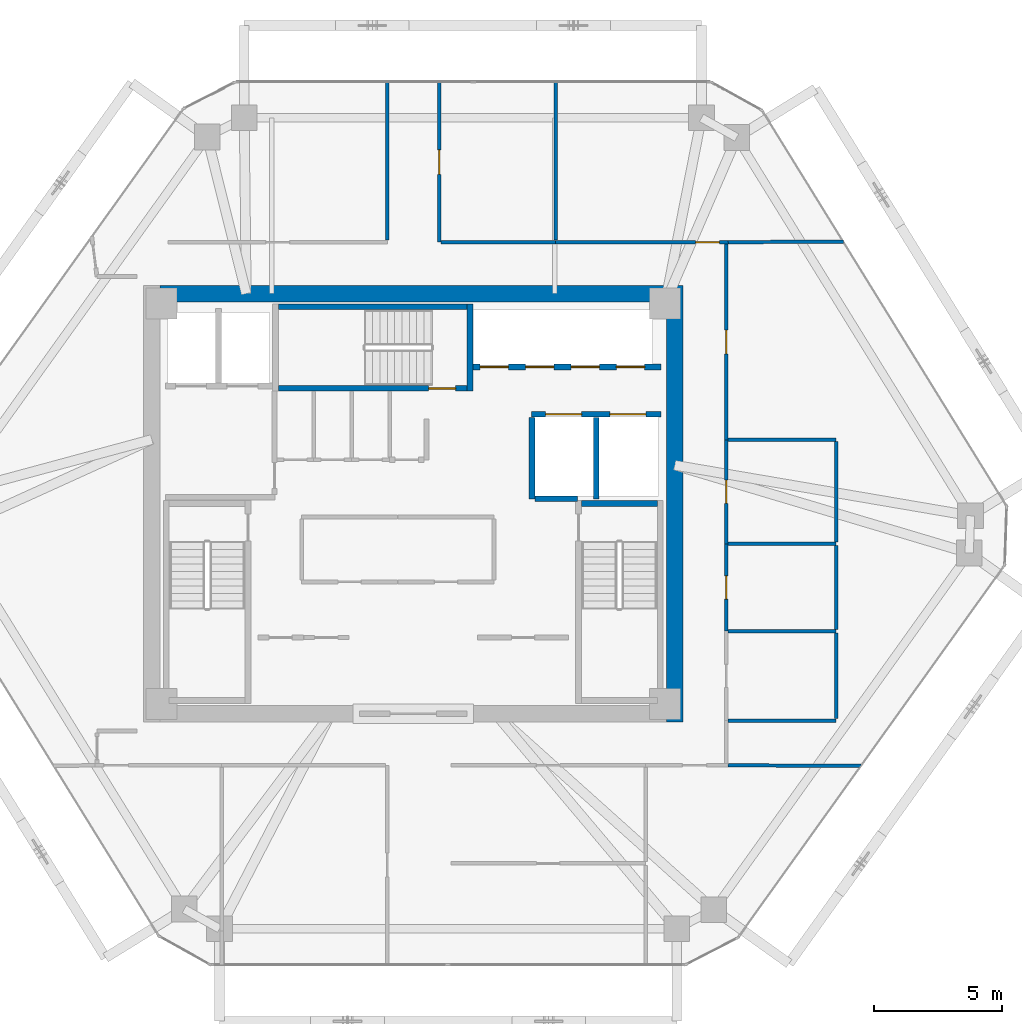
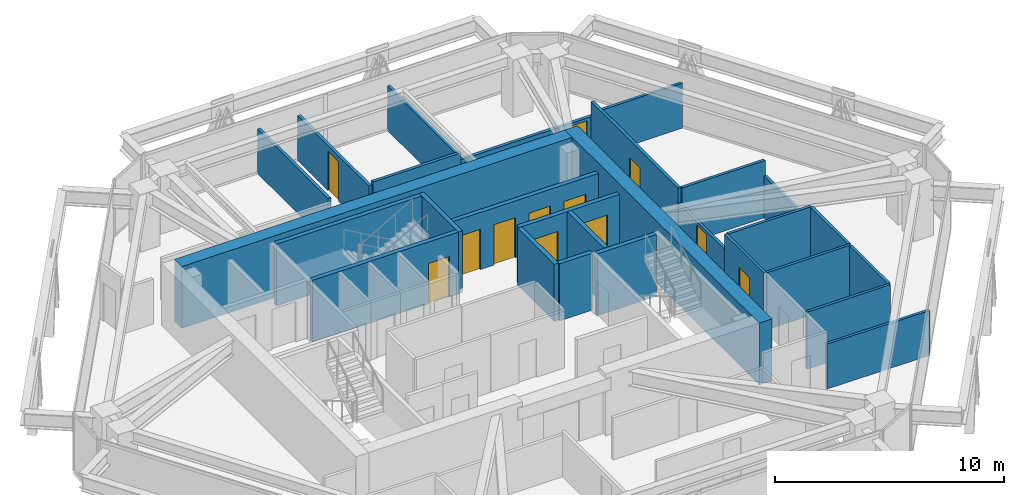
# One storey, part 12 of 14: 28 walls, 12 doors, 12 openings.
"""IFC4 building model written with IfcOpenShell, lengths in metres."""

import ifcopenshell
import ifcopenshell.guid

model = None  # the IFC model being written
_history = None  # IfcOwnerHistory: only IFC2X3 demands one
_inside = {}  # id of a spatial element -> (the spatial element, [elements in it])
_under = {}  # id of a project, library or spatial element -> (it, [spatial elements below it])
_declared = {}  # id of a project -> (the project, [libraries it declares])
_typed = {}  # id of a type object -> (the type object, [elements of that type])
_made_of = {}  # id of a material, layer set ... -> (it, [elements and type objects made of it])


def new_model(schema):
    """Start an empty IFC model of exactly this schema.

    Asked for "IFC4X3", IfcOpenShell would pick the latest addendum, in which some entities
    have other attributes; the version numbers below select the first issue.
    IFC2X3 requires an IfcOwnerHistory on every rooted entity: one is made here for all.
    """
    global model, _history
    if schema == "IFC4X3":
        model = ifcopenshell.file(schema_version=(4, 3, 0, 0))
    else:
        model = ifcopenshell.file(schema=schema)
    _inside.clear()
    _under.clear()
    _declared.clear()
    _typed.clear()
    _made_of.clear()
    _history = None
    if model.schema == "IFC2X3":
        org = make("IfcOrganization", Name="unknown")
        user = make(
            "IfcPersonAndOrganization",
            ThePerson=make("IfcPerson", FamilyName="unknown"),
            TheOrganization=org,
        )
        app = make(
            "IfcApplication",
            ApplicationDeveloper=org,
            Version="unknown",
            ApplicationFullName="unknown",
            ApplicationIdentifier="unknown",
        )
        _history = make(
            "IfcOwnerHistory",
            OwningUser=user,
            OwningApplication=app,
            ChangeAction="ADDED",
            CreationDate=0,
        )
    return model


def make(cls, **values):
    """One entity of the class cls with the attributes given. An attribute that is None is left unset."""
    return model.create_entity(
        cls, **{name: value for name, value in values.items() if value is not None}
    )


def rooted(cls, **values):
    """An entity with a GlobalId (a new one), such as an element, a storey or a relation."""
    return make(cls, GlobalId=ifcopenshell.guid.new(), OwnerHistory=_history, **values)


def si_unit(unit_type, name, prefix=None):
    """IfcSIUnit, for example si_unit("LENGTHUNIT", "METRE", prefix="MILLI")."""
    return make("IfcSIUnit", UnitType=unit_type, Prefix=prefix, Name=name)


def assignment(units):
    """IfcUnitAssignment: the units of a project."""
    return None if units is None else make("IfcUnitAssignment", Units=units)


def point(xyz):
    """IfcCartesianPoint."""
    return None if xyz is None else make("IfcCartesianPoint", Coordinates=xyz)


def direction(xyz):
    """IfcDirection."""
    return None if xyz is None else make("IfcDirection", DirectionRatios=xyz)


def frame(location, z_axis=None, x_axis=None):
    """IfcAxis2Placement3D, a coordinate frame: its origin and axes. An axis left out is left unset."""
    return make(
        "IfcAxis2Placement3D",
        Location=point(location),
        Axis=direction(z_axis),
        RefDirection=direction(x_axis),
    )


def frame_2d(location, x_axis=None):
    """IfcAxis2Placement2D, a coordinate frame in the plane: its origin and x axis."""
    return make(
        "IfcAxis2Placement2D", Location=point(location), RefDirection=direction(x_axis)
    )


def origin():
    """The frame at (0, 0, 0) with its axes left unset."""
    return frame((0.0, 0.0, 0.0))


def place(relative_to, where):
    """IfcLocalPlacement: puts the frame where relative to a parent placement (None: the world)."""
    return make(
        "IfcLocalPlacement", PlacementRelTo=relative_to, RelativePlacement=where
    )


def context(
    kind, dimensions, precision=None, world=None, true_north=None, identifier=None
):
    """IfcGeometricRepresentationContext, for example the 3D "Model" context."""
    return make(
        "IfcGeometricRepresentationContext",
        ContextIdentifier=identifier,
        ContextType=kind,
        CoordinateSpaceDimension=dimensions,
        Precision=precision,
        WorldCoordinateSystem=world,
        TrueNorth=true_north,
    )


def subcontext(parent, identifier, kind, view, scale=None):
    """IfcGeometricRepresentationSubContext, for example "Body" below "Model"."""
    return make(
        "IfcGeometricRepresentationSubContext",
        ContextIdentifier=identifier,
        ContextType=kind,
        ParentContext=parent,
        TargetScale=scale,
        TargetView=view,
    )


def project(units=None, contexts=None):
    """IfcProject with its units and contexts."""
    return rooted(
        "IfcProject",
        Name="project",
        RepresentationContexts=contexts,
        UnitsInContext=assignment(units),
    )


def spatial(cls, under=None, at=None, **own):
    """A site, building, storey or space (cls), placed at a placement, below another one or the project."""
    s = rooted(cls, ObjectPlacement=at, **own)
    if under is not None:
        _under.setdefault(under.id(), (under, []))[1].append(s)
    return s


def profile(cls, at=None, kind="AREA", **sizes):
    """A parametric profile (cls). Its sizes go by their IFC names, for example OverallWidth=200.0."""
    return make(cls, ProfileType=kind, Position=at, **sizes)


def rectangle(**sizes):
    """IfcRectangleProfileDef."""
    return profile("IfcRectangleProfileDef", **sizes)


def extrude(swept, where, along, depth):
    """IfcExtrudedAreaSolid: the profile swept, set in the frame where, extruded along a direction by depth."""
    return make(
        "IfcExtrudedAreaSolid",
        SweptArea=swept,
        Position=where,
        ExtrudedDirection=direction(along),
        Depth=depth,
    )


def shape(context_of_items, identifier, shape_type, items):
    """IfcShapeRepresentation: the items that make up one representation, for example the "Body"."""
    return make(
        "IfcShapeRepresentation",
        ContextOfItems=context_of_items,
        RepresentationIdentifier=identifier,
        RepresentationType=shape_type,
        Items=items,
    )


def source(mapping_origin, context_of_items, identifier, shape_type, items):
    """IfcRepresentationMap: a shape defined once, which mapped items show again and again."""
    return make(
        "IfcRepresentationMap",
        MappingOrigin=mapping_origin,
        MappedRepresentation=shape(context_of_items, identifier, shape_type, items),
    )


def transform(
    local_origin,
    x_axis=None,
    y_axis=None,
    z_axis=None,
    scale=None,
    scale2=None,
    scale3=None,
    uniform=True,
):
    """IfcCartesianTransformationOperator3D, or its non-uniform kind. x_axis, y_axis, z_axis: its Axis1, 2, 3."""
    if uniform:
        return make(
            "IfcCartesianTransformationOperator3D",
            Axis1=direction(x_axis),
            Axis2=direction(y_axis),
            LocalOrigin=point(local_origin),
            Scale=scale,
            Axis3=direction(z_axis),
        )
    return make(
        "IfcCartesianTransformationOperator3DnonUniform",
        Axis1=direction(x_axis),
        Axis2=direction(y_axis),
        LocalOrigin=point(local_origin),
        Scale=scale,
        Axis3=direction(z_axis),
        Scale2=scale2,
        Scale3=scale3,
    )


def mapped(mapping_source, mapping_target):
    """IfcMappedItem: shows the shape of a source again, moved by a transform."""
    return make(
        "IfcMappedItem", MappingSource=mapping_source, MappingTarget=mapping_target
    )


def material(Name=None, Category=None):
    """IfcMaterial."""
    return make("IfcMaterial", Name=Name, Category=Category)


def layer(
    of_material, thickness, ventilated=None, Name=None, Category=None, Priority=None
):
    """IfcMaterialLayer: one layer of a wall or slab, of a material (None: an air gap)."""
    return make(
        "IfcMaterialLayer",
        Material=of_material,
        LayerThickness=thickness,
        IsVentilated=ventilated,
        Name=Name,
        Category=Category,
        Priority=Priority,
    )


def layer_set(layers, Name=None):
    """IfcMaterialLayerSet."""
    return make("IfcMaterialLayerSet", MaterialLayers=layers, LayerSetName=Name)


def made_of(thing, what):
    """Note that an element or type object is made of a material, layer set ...; save() writes the relation."""
    if what is not None:
        _made_of.setdefault(what.id(), (what, []))[1].append(thing)
    return thing


def type_object(cls, material=None, **own):
    """A type object (cls), such as IfcWallType, which elements share."""
    return made_of(rooted(cls, **own), material)


def type_shapes(of_type, sources):
    """Give a type object the sources (RepresentationMaps) that its elements show as mapped items."""
    of_type.RepresentationMaps = sources


def element(
    cls,
    number,
    at=None,
    inside=None,
    cuts=None,
    type_object=None,
    material=None,
    context=None,
    identifier="Body",
    shape_type=None,
    held_by="IfcProductDefinitionShape",
    body=None,
    shapes=None,
    **own,
):
    """One element of the class cls, such as IfcWall. Its Tag is "e" and its number.

    at: its placement. inside: the storey or other place that contains it. cuts: it is an
    opening in that element (IfcRelVoidsElement). A single representation is given by context,
    identifier, shape_type and body (its items); several are given by shapes. held_by: the class
    of the entity that holds the representations. save() writes the other relations.
    """
    e = rooted(cls, Tag="e%d" % number, ObjectPlacement=at, **own)
    if body is not None:
        shapes = [shape(context, identifier, shape_type, body)]
    if shapes is not None:
        e.Representation = make(held_by, Representations=shapes)
    if inside is not None:
        _inside.setdefault(inside.id(), (inside, []))[1].append(e)
    if cuts is not None:
        rooted(
            "IfcRelVoidsElement", RelatingBuildingElement=cuts, RelatedOpeningElement=e
        )
    if type_object is not None:
        _typed.setdefault(type_object.id(), (type_object, []))[1].append(e)
    return made_of(e, material)


def fill(opening, filler):
    """IfcRelFillsElement: the door or window that sits in an opening."""
    return rooted(
        "IfcRelFillsElement",
        RelatingOpeningElement=opening,
        RelatedBuildingElement=filler,
    )


def aggregate(whole, parts):
    """IfcRelAggregates: a whole, such as a stair, and the parts it consists of."""
    return rooted("IfcRelAggregates", RelatingObject=whole, RelatedObjects=parts)


def save(model, path):
    """Write the relations noted so far, then the file.

    IfcRelAggregates (storeys below a building ...), IfcRelContainedInSpatialStructure (elements
    in a storey), IfcRelDefinesByType, IfcRelAssociatesMaterial and IfcRelDeclares: one each for
    every whole, place, type object, material and project.
    """
    for whole, parts in _under.values():
        aggregate(whole, parts)
    for where, things in _inside.values():
        rooted(
            "IfcRelContainedInSpatialStructure",
            RelatedElements=things,
            RelatingStructure=where,
        )
    for kind, things in _typed.values():
        rooted("IfcRelDefinesByType", RelatedObjects=things, RelatingType=kind)
    for what, things in _made_of.values():
        rooted("IfcRelAssociatesMaterial", RelatedObjects=things, RelatingMaterial=what)
    for by, libraries in _declared.values():
        rooted("IfcRelDeclares", RelatingContext=by, RelatedDefinitions=libraries)
    model.write(path)


model = new_model("IFC4")

# Units and contexts
model_context = context("Model", 3, precision=1e-05, world=origin(), true_north=direction((0.0, 1.0)))
body_context = subcontext(model_context, "Body", "Model", "MODEL_VIEW")
ifc_project = project(units=[si_unit("LENGTHUNIT", "METRE"), si_unit("AREAUNIT", "SQUARE_METRE"), si_unit("VOLUMEUNIT", "CUBIC_METRE"), si_unit("PLANEANGLEUNIT", "RADIAN"), si_unit("MASSUNIT", "GRAM", prefix="KILO")], contexts=[model_context])

# Site, building, storey
site_placement = place(None, origin())
site = spatial("IfcSite", under=ifc_project, at=site_placement, CompositionType="ELEMENT")
building_placement = place(site_placement, origin())
building = spatial("IfcBuilding", under=site, at=building_placement, Name="Durnholm Broadcast Tower", CompositionType="ELEMENT")
storey_placement = place(building_placement, frame((0.0, 0.0, 193.60009765625)))
storey = spatial("IfcBuildingStorey", under=building, at=storey_placement, Name="L53", CompositionType="ELEMENT", Elevation=193.60009765625)

# Walls
ifc_material_1 = material(Name="Concrete C70/85", Category="concrete")
ifc_layer_1 = layer(ifc_material_1, 0.64990234375)
ifc_layer_set_1 = layer_set([ifc_layer_1], Name="Concrete C70/85")
wall_type_1 = type_object("IfcWallType", Name="WALL-CW-650", PredefinedType="SHEAR", material=ifc_layer_set_1)
wall_1_placement = place(storey_placement, frame((10.175048828125, -8.5, 0.0), z_axis=(0.0, 0.0, 1.0), x_axis=(0.0, 1.0, 0.0)))
element("IfcWall", 1, at=wall_1_placement, inside=storey, type_object=wall_type_1, Name="L53 central core shear wall CW-EAST", PredefinedType="SHEAR", context=body_context, shape_type="SweptSolid", body=[
    extrude(rectangle(XDim=17.0, YDim=0.64990234375, at=frame_2d((8.5, 0.0))), origin(), (0.0, 0.0, 1.0), 3.2998046875),
])
wall_2_placement = place(storey_placement, frame((-9.85009765625, 8.175048828125, 0.0), z_axis=(0.0, 0.0, 1.0), x_axis=(1.0, 0.0, 0.0)))
element("IfcWall", 2, at=wall_2_placement, inside=storey, type_object=wall_type_1, Name="L53 central core shear wall CW-N", PredefinedType="SHEAR", context=body_context, shape_type="SweptSolid", body=[
    extrude(rectangle(XDim=19.7001953125, YDim=0.64990234375, at=frame_2d((9.85009765625, 0.0))), origin(), (0.0, 0.0, 1.0), 3.2998046875),
])
ifc_material_2 = material(Name="Gypsum Metal Stud Partition", Category="concrete")
ifc_layer_2 = layer(ifc_material_2, 0.135009765625)
ifc_layer_set_2 = layer_set([ifc_layer_2], Name="Gypsum Metal Stud Partition")
wall_type_2 = type_object("IfcWallType", Name="WALL-PART-135", PredefinedType="PARTITIONING", material=ifc_layer_set_2)
wall_3_placement = place(storey_placement, frame((5.5400390625, 16.41796875, 0.0), z_axis=(0.0, 0.0, 1.0), x_axis=(0.0, -1.0, 0.0)))
element("IfcWall", 3, at=wall_3_placement, inside=storey, type_object=wall_type_2, Name="L53 room dividing partition 14.15", PredefinedType="PARTITIONING", context=body_context, shape_type="SweptSolid", body=[
    extrude(rectangle(XDim=6.158935546875, YDim=0.135009765625, at=frame_2d((3.07958984375, 0.0))), origin(), (0.0, 0.0, 1.0), 2.398681640625),
])
wall_4_placement = place(storey_placement, frame((16.739990234375, 10.200927734375, 0.0), z_axis=(0.0, 0.0, 1.0), x_axis=(-0.999989522694, -0.004577608714, 0.0)))
element("IfcWall", 4, at=wall_4_placement, inside=storey, type_object=wall_type_2, Name="L53 room dividing partition 15.23", PredefinedType="PARTITIONING", context=body_context, shape_type="SweptSolid", body=[
    extrude(rectangle(XDim=4.47998046875, YDim=0.135009765625, at=frame_2d((2.239990234375, 0.0))), origin(), (0.0, 0.0, 1.0), 2.398681640625),
])
wall_5_placement = place(storey_placement, frame((12.260009765625, -10.180419921875, 0.0), z_axis=(0.0, 0.0, 1.0), x_axis=(0.999990144117, -0.004439782427, 0.0)))
element("IfcWall", 5, at=wall_5_placement, inside=storey, type_object=wall_type_2, Name="L53 room dividing partition 20.23", PredefinedType="PARTITIONING", context=body_context, shape_type="SweptSolid", body=[
    extrude(rectangle(XDim=5.1689453125, YDim=0.135009765625, at=frame_2d((2.58447265625, 0.0))), origin(), (0.0, 0.0, 1.0), 2.398681640625),
])
ifc_material_3 = material(Name="Acoustic Gypsum Stud Partition", Category="concrete")
ifc_layer_3 = layer(ifc_material_3, 0.14990234375)
ifc_layer_set_3 = layer_set([ifc_layer_3], Name="Acoustic Gypsum Stud Partition")
wall_type_3 = type_object("IfcWallType", Name="WALL-PART-150", PredefinedType="PARTITIONING", material=ifc_layer_set_3)
wall_6_placement = place(storey_placement, frame((-1.010009765625, 16.41796875, 0.0), z_axis=(0.0, 0.0, 1.0), x_axis=(0.0, -1.0, 0.0)))
element("IfcWall", 6, at=wall_6_placement, inside=storey, type_object=wall_type_3, Name="L53 Open Plan Broadcast Workspace 2 corridor partition", PredefinedType="PARTITIONING", context=body_context, shape_type="SweptSolid", body=[
    extrude(rectangle(XDim=6.158935546875, YDim=0.14990234375, at=frame_2d((3.07958984375, 0.0))), origin(), (0.0, 0.0, 1.0), 2.398681640625),
])

# Wall, opening, door
wall_7_placement = place(storey_placement, frame((1.010009765625, 10.179931640625, 0.0), z_axis=(0.0, 0.0, 1.0), x_axis=(0.0, 1.0, 0.0)))
wall_7 = element("IfcWall", 7, at=wall_7_placement, inside=storey, type_object=wall_type_3, Name="L53 Brand Review Lounge 2 corridor partition", PredefinedType="PARTITIONING", context=body_context, shape_type="SweptSolid", body=[
    extrude(rectangle(XDim=6.238037109375, YDim=0.14990234375, at=frame_2d((3.119140625, 0.0))), origin(), (0.0, 0.0, 1.0), 2.398681640625),
])
opening_1_placement = place(wall_7_placement, frame((2.64404296875, 0.0, 0.0)))
opening_1 = element("IfcOpeningElement", 8, at=opening_1_placement, cuts=wall_7, Name="Opening DR-95R", PredefinedType="OPENING", context=body_context, shape_type="SweptSolid", body=[
    extrude(rectangle(XDim=0.949951171875, YDim=2.10009765625, at=frame_2d((0.47509765625, 1.050048828125))), frame((0.0, 0.0849609375, 0.0), z_axis=(0.0, -1.0, 0.0), x_axis=(1.0, 0.0, 0.0)), (0.0, 0.0, 1.0), 0.169921875),
])
ifc_material_4 = material(Name="Acoustic Oak Veneer Timber Door", Category="wood")
ifc_layer_4 = layer(ifc_material_4, 0.050048828125)
ifc_layer_set_4 = layer_set([ifc_layer_4], Name="Acoustic Oak Veneer Timber Door")
door_type_1 = type_object("IfcDoorType", Name="DOOR-RM-950R", OperationType="NOTDEFINED", PredefinedType="DOOR", material=ifc_layer_set_4)
shared_shape_1 = source(origin(), body_context, "Body", "SweptSolid", [
    extrude(rectangle(XDim=0.949951171875, YDim=2.10009765625, at=frame_2d((0.47509765625, 1.050048828125))), frame((0.0, 0.02490234375, 0.0), z_axis=(0.0, -1.0, 0.0), x_axis=(1.0, 0.0, 0.0)), (0.0, 0.0, 1.0), 0.050048828125),
])
type_shapes(door_type_1, [shared_shape_1])
door_1_placement = place(opening_1_placement, origin())
door_1 = element("IfcDoor", 9, at=door_1_placement, inside=storey, type_object=door_type_1, Name="L53 Brand Review Lounge 2 entrance door", OperationType="SINGLE_SWING_RIGHT", OverallHeight=2.10009765625, OverallWidth=0.949951171875, PredefinedType="DOOR", context=body_context, shape_type="MappedRepresentation", body=[
    mapped(shared_shape_1, transform((0.0, 0.0, 0.0), x_axis=(1.0, 0.0, 0.0), y_axis=(0.0, 1.0, 0.0), z_axis=(0.0, 0.0, 1.0), scale=1.0)),
])
fill(opening_1, door_1)

# Wall
wall_8_placement = place(storey_placement, frame((5.5400390625, 10.179931640625, 0.0), z_axis=(0.0, 0.0, 1.0), x_axis=(-1.0, 0.0, 0.0)))
element("IfcWall", 10, at=wall_8_placement, inside=storey, type_object=wall_type_3, Name="L53 Brand Review Lounge 2 corridor partition", PredefinedType="PARTITIONING", context=body_context, shape_type="SweptSolid", body=[
    extrude(rectangle(XDim=4.450927734375, YDim=0.14990234375, at=frame_2d((2.2255859375, 0.0))), origin(), (0.0, 0.0, 1.0), 2.608154296875),
])

# Wall, opening, door
wall_9_placement = place(storey_placement, frame((12.260009765625, 10.179931640625, 0.0), z_axis=(0.0, 0.0, 1.0), x_axis=(-1.0, 0.0, 0.0)))
wall_9 = element("IfcWall", 11, at=wall_9_placement, inside=storey, type_object=wall_type_3, Name="L53 Open Plan Broadcast Workspace 4 corridor partition", PredefinedType="PARTITIONING", context=body_context, shape_type="SweptSolid", body=[
    extrude(rectangle(XDim=6.719970703125, YDim=0.14990234375, at=frame_2d((3.35986328125, 0.0))), origin(), (0.0, 0.0, 1.0), 2.24169921875),
])
opening_2_placement = place(wall_9_placement, frame((0.35009765625, 0.0, 0.0)))
opening_2 = element("IfcOpeningElement", 12, at=opening_2_placement, cuts=wall_9, Name="Opening DR-92L", PredefinedType="OPENING", context=body_context, shape_type="SweptSolid", body=[
    extrude(rectangle(XDim=0.919921875, YDim=2.10009765625, at=frame_2d((0.4599609375, 1.050048828125))), frame((0.0, 0.0849609375, 0.0), z_axis=(0.0, -1.0, 0.0), x_axis=(1.0, 0.0, 0.0)), (0.0, 0.0, 1.0), 0.169921875),
])
ifc_material_5 = material(Name="Oak Veneer Office Door", Category="wood")
ifc_layer_5 = layer(ifc_material_5, 0.050048828125)
ifc_layer_set_5 = layer_set([ifc_layer_5], Name="Oak Veneer Office Door")
door_type_2 = type_object("IfcDoorType", Name="DOOR-RM-920L", OperationType="NOTDEFINED", PredefinedType="DOOR", material=ifc_layer_set_5)
shared_shape_2 = source(origin(), body_context, "Body", "SweptSolid", [
    extrude(rectangle(XDim=0.919921875, YDim=2.10009765625, at=frame_2d((0.4599609375, 1.050048828125))), frame((0.0, 0.02490234375, 0.0), z_axis=(0.0, -1.0, 0.0), x_axis=(1.0, 0.0, 0.0)), (0.0, 0.0, 1.0), 0.050048828125),
])
type_shapes(door_type_2, [shared_shape_2])
door_2_placement = place(opening_2_placement, origin())
door_2 = element("IfcDoor", 13, at=door_2_placement, inside=storey, type_object=door_type_2, Name="L53 Open Plan Broadcast Workspace 4 entrance door", OperationType="SINGLE_SWING_LEFT", OverallHeight=2.10009765625, OverallWidth=0.919921875, PredefinedType="DOOR", context=body_context, shape_type="MappedRepresentation", body=[
    mapped(shared_shape_2, transform((0.0, 0.0, 0.0), x_axis=(1.0, 0.0, 0.0), y_axis=(0.0, 1.0, 0.0), z_axis=(0.0, 0.0, 1.0), scale=1.0)),
])
fill(opening_2, door_2)

wall_10_placement = place(storey_placement, frame((12.179931640625, 2.489990234375, 0.0), z_axis=(0.0, 0.0, 1.0), x_axis=(0.0, 1.0, 0.0)))
wall_10 = element("IfcWall", 14, at=wall_10_placement, inside=storey, type_object=wall_type_3, Name="L53 Typography Meeting Room 2 corridor partition", PredefinedType="PARTITIONING", context=body_context, shape_type="SweptSolid", body=[
    extrude(rectangle(XDim=7.611083984375, YDim=0.14990234375, at=frame_2d((3.8056640625, 0.0))), origin(), (0.0, 0.0, 1.0), 3.044921875),
])
opening_3_placement = place(wall_10_placement, frame((3.345458984375, 0.0, 0.0)))
opening_3 = element("IfcOpeningElement", 15, at=opening_3_placement, cuts=wall_10, Name="Opening DR-92L", PredefinedType="OPENING", context=body_context, shape_type="SweptSolid", body=[
    extrude(rectangle(XDim=0.919921875, YDim=2.10009765625, at=frame_2d((0.4599609375, 1.050048828125))), frame((0.0, 0.0849609375, 0.0), z_axis=(0.0, -1.0, 0.0), x_axis=(1.0, 0.0, 0.0)), (0.0, 0.0, 1.0), 0.169921875),
])
door_3_placement = place(opening_3_placement, origin())
door_3 = element("IfcDoor", 16, at=door_3_placement, inside=storey, type_object=door_type_2, Name="L53 Typography Meeting Room 2 entrance door", OperationType="SINGLE_SWING_LEFT", OverallHeight=2.10009765625, OverallWidth=0.919921875, PredefinedType="DOOR", context=body_context, shape_type="MappedRepresentation", body=[
    mapped(shared_shape_2, transform((0.0, 0.0, 0.0), x_axis=(1.0, 0.0, 0.0), y_axis=(0.0, 1.0, 0.0), z_axis=(0.0, 0.0, 1.0), scale=1.0)),
])
fill(opening_3, door_3)

# Wall, openings, doors
ifc_material_6 = material(Name="Concrete Blockwork C30/37", Category="masonry")
ifc_layer_6 = layer(ifc_material_6, 0.219970703125)
ifc_layer_set_6 = layer_set([ifc_layer_6], Name="Concrete Blockwork C30/37")
wall_type_4 = type_object("IfcWallType", Name="WALL-SHAFT-220", PredefinedType="SOLIDWALL", material=ifc_layer_set_6)
wall_11_placement = place(storey_placement, frame((4.60009765625, 3.47998046875, 0.0), z_axis=(0.0, 0.0, 1.0), x_axis=(1.0, 0.0, 0.0)))
wall_11 = element("IfcWall", 17, at=wall_11_placement, inside=storey, type_object=wall_type_4, Name="L53 freight service lifts north front wall", PredefinedType="SOLIDWALL", context=body_context, shape_type="SweptSolid", body=[
    extrude(rectangle(XDim=5.0498046875, YDim=0.219970703125, at=frame_2d((2.52490234375, 0.0))), origin(), (0.0, 0.0, 1.0), 3.044921875),
])
opening_4_placement = place(wall_11_placement, frame((0.550048828125, 0.0, 0.0)))
opening_4 = element("IfcOpeningElement", 18, at=opening_4_placement, cuts=wall_11, Name="Opening LD-SVL-2", PredefinedType="OPENING", context=body_context, shape_type="SweptSolid", body=[
    extrude(rectangle(XDim=1.39990234375, YDim=2.14990234375, at=frame_2d((0.699951171875, 1.074951171875))), frame((0.0, 0.1201171875, 0.0), z_axis=(0.0, -1.0, 0.0), x_axis=(1.0, 0.0, 0.0)), (0.0, 0.0, 1.0), 0.239990234375),
])
opening_5_placement = place(wall_11_placement, frame((3.050048828125, 0.0, 0.0)))
opening_5 = element("IfcOpeningElement", 19, at=opening_5_placement, cuts=wall_11, Name="Opening LD-SVL-1", PredefinedType="OPENING", context=body_context, shape_type="SweptSolid", body=[
    extrude(rectangle(XDim=1.39990234375, YDim=2.14990234375, at=frame_2d((0.699951171875, 1.074951171875))), frame((0.0, 0.1201171875, 0.0), z_axis=(0.0, -1.0, 0.0), x_axis=(1.0, 0.0, 0.0)), (0.0, 0.0, 1.0), 0.239990234375),
])
ifc_material_7 = material(Name="Freight Elevator Bi-Parting Sliding Landing Door", Category="steel")
ifc_layer_7 = layer(ifc_material_7, 0.050048828125)
ifc_layer_set_7 = layer_set([ifc_layer_7], Name="Freight Elevator Bi-Parting Sliding Landing Door")
door_type_3 = type_object("IfcDoorType", Name="DOOR-LIFT-SVL", OperationType="DOUBLE_DOOR_SLIDING", PredefinedType="DOOR", material=ifc_layer_set_7)
shared_shape_3 = source(origin(), body_context, "Body", "SweptSolid", [
    extrude(rectangle(XDim=1.39990234375, YDim=2.14990234375, at=frame_2d((0.699951171875, 1.074951171875))), frame((0.0, 0.02490234375, 0.0), z_axis=(0.0, -1.0, 0.0), x_axis=(1.0, 0.0, 0.0)), (0.0, 0.0, 1.0), 0.050048828125),
])
type_shapes(door_type_3, [shared_shape_3])
door_4_placement = place(opening_4_placement, origin())
door_4 = element("IfcDoor", 20, at=door_4_placement, inside=storey, type_object=door_type_3, Name="L53 freight service elevator SVL-2 sliding landing door", OperationType="DOUBLE_DOOR_SLIDING", OverallHeight=2.14990234375, OverallWidth=1.39990234375, PredefinedType="DOOR", context=body_context, shape_type="MappedRepresentation", body=[
    mapped(shared_shape_3, transform((0.0, 0.0, 0.0), x_axis=(1.0, 0.0, 0.0), y_axis=(0.0, 1.0, 0.0), z_axis=(0.0, 0.0, 1.0), scale=1.0)),
])
fill(opening_4, door_4)
door_5_placement = place(opening_5_placement, origin())
door_5 = element("IfcDoor", 21, at=door_5_placement, inside=storey, type_object=door_type_3, Name="L53 freight service elevator SVL-1 sliding landing door", OperationType="DOUBLE_DOOR_SLIDING", OverallHeight=2.14990234375, OverallWidth=1.39990234375, PredefinedType="DOOR", context=body_context, shape_type="MappedRepresentation", body=[
    mapped(shared_shape_3, transform((0.0, 0.0, 0.0), x_axis=(1.0, 0.0, 0.0), y_axis=(0.0, 1.0, 0.0), z_axis=(0.0, 0.0, 1.0), scale=1.0)),
])
fill(opening_5, door_5)

# Walls
for number, where, z_axis, x_axis, name in (
    (22, (4.6201171875, 0.179931640625, 0.0), (0.0, 0.0, 1.0), (0.0, 1.0, 0.0), "L53 freight service lift SVL-2 west wall"),
    (23, (7.1201171875, 0.179931640625, 0.0), (0.0, 0.0, 1.0), (0.0, 1.0, 0.0), "L53 freight service lifts divider wall"),
):
    element("IfcWall", number, at=place(storey_placement, frame(where, z_axis=z_axis, x_axis=x_axis)), inside=storey, type_object=wall_type_4, Name=name, PredefinedType="SOLIDWALL", context=body_context, shape_type="SweptSolid", body=[
        extrude(rectangle(XDim=3.18603515625, YDim=0.219970703125, at=frame_2d((1.593017578125, 0.0))), origin(), (0.0, 0.0, 1.0), 3.044921875),
    ])
wall_12_placement = place(storey_placement, frame((4.73388671875, 0.199951171875, 0.0), z_axis=(0.0, 0.0, 1.0), x_axis=(1.0, 0.0, 0.0)))
element("IfcWall", 24, at=wall_12_placement, inside=storey, type_object=wall_type_4, Name="L53 freight service lift SVL-2 south wall", PredefinedType="SOLIDWALL", context=body_context, shape_type="SweptSolid", body=[
    extrude(rectangle(XDim=1.666015625, YDim=0.219970703125, at=frame_2d((0.8330078125, 0.0))), origin(), (0.0, 0.0, 1.0), 3.044921875),
])

# Wall, openings, doors
wall_13_placement = place(storey_placement, frame((2.324951171875, 5.320068359375, 0.0), z_axis=(0.0, 0.0, 1.0), x_axis=(1.0, 0.0, 0.0)))
wall_13 = element("IfcWall", 25, at=wall_13_placement, inside=storey, type_object=wall_type_4, Name="L53 high-rise bank P3 south front wall", PredefinedType="SOLIDWALL", context=body_context, shape_type="SweptSolid", body=[
    extrude(rectangle(XDim=7.324951171875, YDim=0.219970703125, at=frame_2d((3.66259765625, 0.0))), origin(), (0.0, 0.0, 1.0), 3.044921875),
])
opening_6_placement = place(wall_13_placement, frame((0.27490234375, 0.0, 0.0)))
opening_6 = element("IfcOpeningElement", 26, at=opening_6_placement, cuts=wall_13, Name="Opening LD-LP3-1", PredefinedType="OPENING", context=body_context, shape_type="SweptSolid", body=[
    extrude(rectangle(XDim=1.10009765625, YDim=2.14990234375, at=frame_2d((0.550048828125, 1.074951171875))), frame((0.0, 0.1201171875, 0.0), z_axis=(0.0, -1.0, 0.0), x_axis=(1.0, 0.0, 0.0)), (0.0, 0.0, 1.0), 0.239990234375),
])
opening_7_placement = place(wall_13_placement, frame((2.044921875, 0.0, 0.0)))
opening_7 = element("IfcOpeningElement", 27, at=opening_7_placement, cuts=wall_13, Name="Opening LD-LP3-2", PredefinedType="OPENING", context=body_context, shape_type="SweptSolid", body=[
    extrude(rectangle(XDim=1.10009765625, YDim=2.14990234375, at=frame_2d((0.550048828125, 1.074951171875))), frame((0.0, 0.1201171875, 0.0), z_axis=(0.0, -1.0, 0.0), x_axis=(1.0, 0.0, 0.0)), (0.0, 0.0, 1.0), 0.239990234375),
])
opening_8_placement = place(wall_13_placement, frame((3.81494140625, 0.0, 0.0)))
opening_8 = element("IfcOpeningElement", 28, at=opening_8_placement, cuts=wall_13, Name="Opening LD-LP3-3", PredefinedType="OPENING", context=body_context, shape_type="SweptSolid", body=[
    extrude(rectangle(XDim=1.10009765625, YDim=2.14990234375, at=frame_2d((0.550048828125, 1.074951171875))), frame((0.0, 0.1201171875, 0.0), z_axis=(0.0, -1.0, 0.0), x_axis=(1.0, 0.0, 0.0)), (0.0, 0.0, 1.0), 0.239990234375),
])
opening_9_placement = place(wall_13_placement, frame((5.5849609375, 0.0, 0.0)))
opening_9 = element("IfcOpeningElement", 29, at=opening_9_placement, cuts=wall_13, Name="Opening LD-LP3-4", PredefinedType="OPENING", context=body_context, shape_type="SweptSolid", body=[
    extrude(rectangle(XDim=1.10009765625, YDim=2.14990234375, at=frame_2d((0.550048828125, 1.074951171875))), frame((0.0, 0.1201171875, 0.0), z_axis=(0.0, -1.0, 0.0), x_axis=(1.0, 0.0, 0.0)), (0.0, 0.0, 1.0), 0.239990234375),
])
ifc_material_8 = material(Name="Stainless Steel Sliding Elevator Landing Door", Category="steel")
ifc_layer_8 = layer(ifc_material_8, 0.050048828125)
ifc_layer_set_8 = layer_set([ifc_layer_8], Name="Stainless Steel Sliding Elevator Landing Door")
door_type_4 = type_object("IfcDoorType", Name="DOOR-LIFT-PAX", OperationType="DOUBLE_DOOR_SLIDING", PredefinedType="DOOR", material=ifc_layer_set_8)
shared_shape_4 = source(origin(), body_context, "Body", "SweptSolid", [
    extrude(rectangle(XDim=1.10009765625, YDim=2.14990234375, at=frame_2d((0.550048828125, 1.074951171875))), frame((0.0, 0.02490234375, 0.0), z_axis=(0.0, -1.0, 0.0), x_axis=(1.0, 0.0, 0.0)), (0.0, 0.0, 1.0), 0.050048828125),
])
type_shapes(door_type_4, [shared_shape_4])
door_6_placement = place(opening_6_placement, origin())
door_6 = element("IfcDoor", 30, at=door_6_placement, inside=storey, type_object=door_type_4, Name="L53 high-rise elevator LP3-1 sliding landing door", OperationType="DOUBLE_DOOR_SLIDING", OverallHeight=2.14990234375, OverallWidth=1.10009765625, PredefinedType="DOOR", context=body_context, shape_type="MappedRepresentation", body=[
    mapped(shared_shape_4, transform((0.0, 0.0, 0.0), x_axis=(1.0, 0.0, 0.0), y_axis=(0.0, 1.0, 0.0), z_axis=(0.0, 0.0, 1.0), scale=1.0)),
])
fill(opening_6, door_6)
door_7_placement = place(opening_7_placement, origin())
door_7 = element("IfcDoor", 31, at=door_7_placement, inside=storey, type_object=door_type_4, Name="L53 high-rise elevator LP3-2 sliding landing door", OperationType="DOUBLE_DOOR_SLIDING", OverallHeight=2.14990234375, OverallWidth=1.10009765625, PredefinedType="DOOR", context=body_context, shape_type="MappedRepresentation", body=[
    mapped(shared_shape_4, transform((0.0, 0.0, 0.0), x_axis=(1.0, 0.0, 0.0), y_axis=(0.0, 1.0, 0.0), z_axis=(0.0, 0.0, 1.0), scale=1.0)),
])
fill(opening_7, door_7)
door_8_placement = place(opening_8_placement, origin())
door_8 = element("IfcDoor", 32, at=door_8_placement, inside=storey, type_object=door_type_4, Name="L53 high-rise elevator LP3-3 sliding landing door", OperationType="DOUBLE_DOOR_SLIDING", OverallHeight=2.14990234375, OverallWidth=1.10009765625, PredefinedType="DOOR", context=body_context, shape_type="MappedRepresentation", body=[
    mapped(shared_shape_4, transform((0.0, 0.0, 0.0), x_axis=(1.0, 0.0, 0.0), y_axis=(0.0, 1.0, 0.0), z_axis=(0.0, 0.0, 1.0), scale=1.0)),
])
fill(opening_8, door_8)
door_9_placement = place(opening_9_placement, origin())
door_9 = element("IfcDoor", 33, at=door_9_placement, inside=storey, type_object=door_type_4, Name="L53 high-rise elevator LP3-4 sliding landing door", OperationType="DOUBLE_DOOR_SLIDING", OverallHeight=2.14990234375, OverallWidth=1.10009765625, PredefinedType="DOOR", context=body_context, shape_type="MappedRepresentation", body=[
    mapped(shared_shape_4, transform((0.0, 0.0, 0.0), x_axis=(1.0, 0.0, 0.0), y_axis=(0.0, 1.0, 0.0), z_axis=(0.0, 0.0, 1.0), scale=1.0)),
])
fill(opening_9, door_9)

# Walls
ifc_material_9 = material(Name="Concrete C50/60", Category="concrete")
ifc_layer_9 = layer(ifc_material_9, 0.219970703125)
ifc_layer_set_9 = layer_set([ifc_layer_9], Name="Concrete C50/60")
wall_type_5 = type_object("IfcWallType", Name="WALL-SW-220", PredefinedType="SHEAR", material=ifc_layer_set_9)
wall_14_placement = place(storey_placement, frame((9.5, 0.010009765625, -0.239990234375), z_axis=(0.0, 0.0, 1.0), x_axis=(-1.0, 0.0, 0.0)))
element("IfcWall", 34, at=wall_14_placement, inside=storey, type_object=wall_type_5, Name="L53 stair ST-2 structural shaft wall N", PredefinedType="SHEAR", context=body_context, shape_type="SweptSolid", body=[
    extrude(rectangle(XDim=2.9599609375, YDim=0.219970703125, at=frame_2d((1.47998046875, 0.0))), origin(), (0.0, 0.0, 1.0), 3.2998046875),
])
wall_15_placement = place(storey_placement, frame((2.2099609375, 4.3798828125, -0.239990234375), z_axis=(0.0, 0.0, 1.0), x_axis=(0.0, 1.0, 0.0)))
element("IfcWall", 35, at=wall_15_placement, inside=storey, type_object=wall_type_5, Name="L53 stair ST-3 structural shaft wall E", PredefinedType="SHEAR", context=body_context, shape_type="SweptSolid", body=[
    extrude(rectangle(XDim=3.400146484375, YDim=0.219970703125, at=frame_2d((1.7001953125, 0.0))), origin(), (0.0, 0.0, 1.0), 3.2998046875),
])

# Wall, opening, door
wall_16_placement = place(storey_placement, frame((-5.25, 4.489990234375, -0.239990234375), z_axis=(0.0, 0.0, 1.0), x_axis=(1.0, 0.0, 0.0)))
wall_16 = element("IfcWall", 36, at=wall_16_placement, inside=storey, type_object=wall_type_5, Name="L53 stair ST-3 structural shaft wall S", PredefinedType="SHEAR", context=body_context, shape_type="SweptSolid", body=[
    extrude(rectangle(XDim=7.35009765625, YDim=0.219970703125, at=frame_2d((3.675048828125, 0.0))), origin(), (0.0, 0.0, 1.0), 3.2998046875),
])
opening_10_placement = place(wall_16_placement, frame((5.85009765625, 0.0, 0.0)))
opening_10 = element("IfcOpeningElement", 37, at=opening_10_placement, cuts=wall_16, Name="Opening DS-90L", PredefinedType="OPENING", context=body_context, shape_type="SweptSolid", body=[
    extrude(rectangle(XDim=1.050048828125, YDim=2.14990234375, at=frame_2d((0.52490234375, 1.074951171875))), frame((0.0, 0.1201171875, 0.0), z_axis=(0.0, -1.0, 0.0), x_axis=(1.0, 0.0, 0.0)), (0.0, 0.0, 1.0), 0.239990234375),
])
ifc_material_10 = material(Name="Fire-Rated Steel Door", Category="steel")
ifc_layer_10 = layer(ifc_material_10, 0.050048828125)
ifc_layer_set_10 = layer_set([ifc_layer_10], Name="Fire-Rated Steel Door")
door_type_5 = type_object("IfcDoorType", Name="DOOR-ST-FD90-L", OperationType="NOTDEFINED", PredefinedType="DOOR", material=ifc_layer_set_10)
shared_shape_5 = source(origin(), body_context, "Body", "SweptSolid", [
    extrude(rectangle(XDim=1.050048828125, YDim=2.14990234375, at=frame_2d((0.52490234375, 1.074951171875))), frame((0.0, 0.02490234375, 0.0), z_axis=(0.0, -1.0, 0.0), x_axis=(1.0, 0.0, 0.0)), (0.0, 0.0, 1.0), 0.050048828125),
])
type_shapes(door_type_5, [shared_shape_5])
door_10_placement = place(opening_10_placement, origin())
door_10 = element("IfcDoor", 38, at=door_10_placement, inside=storey, type_object=door_type_5, Name="L53 exit stair ST-3 fire door", OperationType="SINGLE_SWING_LEFT", OverallHeight=2.14990234375, OverallWidth=1.050048828125, PredefinedType="DOOR", context=body_context, shape_type="MappedRepresentation", body=[
    mapped(shared_shape_5, transform((0.0, 0.0, 0.0), x_axis=(1.0, 0.0, 0.0), y_axis=(0.0, 1.0, 0.0), z_axis=(0.0, 0.0, 1.0), scale=1.0)),
])
fill(opening_10, door_10)

# Wall
wall_17_placement = place(storey_placement, frame((2.10009765625, 7.669921875, -0.239990234375), z_axis=(0.0, 0.0, 1.0), x_axis=(-1.0, 0.0, 0.0)))
element("IfcWall", 39, at=wall_17_placement, inside=storey, type_object=wall_type_5, Name="L53 stair ST-3 structural shaft wall N", PredefinedType="SHEAR", context=body_context, shape_type="SweptSolid", body=[
    extrude(rectangle(XDim=7.35009765625, YDim=0.219970703125, at=frame_2d((3.675048828125, 0.0))), origin(), (0.0, 0.0, 1.0), 3.2998046875),
])

# Wall, opening, door
ifc_material_11 = material(Name="Moisture-Resistant Tile Partition", Category="concrete")
ifc_layer_11 = layer(ifc_material_11, 0.139892578125)
ifc_layer_set_11 = layer_set([ifc_layer_11], Name="Moisture-Resistant Tile Partition")
wall_type_6 = type_object("IfcWallType", Name="WALL-WC-140", PredefinedType="PARTITIONING", material=ifc_layer_set_11)
wall_18_placement = place(storey_placement, frame((12.179931640625, -4.9599609375, 0.0), z_axis=(0.0, 0.0, 1.0), x_axis=(0.0, 1.0, 0.0)))
wall_18 = element("IfcWall", 40, at=wall_18_placement, inside=storey, type_object=wall_type_6, Name="L53 Women's Restroom corridor partition", PredefinedType="PARTITIONING", context=body_context, shape_type="SweptSolid", body=[
    extrude(rectangle(XDim=3.39990234375, YDim=0.139892578125, at=frame_2d((1.699951171875, 0.0))), origin(), (0.0, 0.0, 1.0), 3.044921875),
])
opening_11_placement = place(wall_18_placement, frame((1.25, 0.0, 0.0)))
opening_11 = element("IfcOpeningElement", 41, at=opening_11_placement, cuts=wall_18, Name="Opening DW-90L", PredefinedType="OPENING", context=body_context, shape_type="SweptSolid", body=[
    extrude(rectangle(XDim=0.89990234375, YDim=2.050048828125, at=frame_2d((0.449951171875, 1.02490234375))), frame((0.0, 0.080078125, 0.0), z_axis=(0.0, -1.0, 0.0), x_axis=(1.0, 0.0, 0.0)), (0.0, 0.0, 1.0), 0.159912109375),
])
ifc_material_12 = material(Name="Laminate Restroom Door", Category="steel")
ifc_layer_12 = layer(ifc_material_12, 0.050048828125)
ifc_layer_set_12 = layer_set([ifc_layer_12], Name="Laminate Restroom Door")
door_type_6 = type_object("IfcDoorType", Name="DOOR-WC-900L", OperationType="NOTDEFINED", PredefinedType="DOOR", material=ifc_layer_set_12)
shared_shape_6 = source(origin(), body_context, "Body", "SweptSolid", [
    extrude(rectangle(XDim=0.89990234375, YDim=2.050048828125, at=frame_2d((0.449951171875, 1.02490234375))), frame((0.0, 0.02490234375, 0.0), z_axis=(0.0, -1.0, 0.0), x_axis=(1.0, 0.0, 0.0)), (0.0, 0.0, 1.0), 0.050048828125),
])
type_shapes(door_type_6, [shared_shape_6])
door_11_placement = place(opening_11_placement, origin())
door_11 = element("IfcDoor", 42, at=door_11_placement, inside=storey, type_object=door_type_6, Name="L53 Women's Restroom entrance door", OperationType="SINGLE_SWING_LEFT", OverallHeight=2.050048828125, OverallWidth=0.89990234375, PredefinedType="DOOR", context=body_context, shape_type="MappedRepresentation", body=[
    mapped(shared_shape_6, transform((0.0, 0.0, 0.0), x_axis=(1.0, 0.0, 0.0), y_axis=(0.0, 1.0, 0.0), z_axis=(0.0, 0.0, 1.0), scale=1.0)),
])
fill(opening_11, door_11)

wall_19_placement = place(storey_placement, frame((12.179931640625, -1.56005859375, 0.0), z_axis=(0.0, 0.0, 1.0), x_axis=(0.0, 1.0, 0.0)))
wall_19 = element("IfcWall", 43, at=wall_19_placement, inside=storey, type_object=wall_type_6, Name="L53 Accessible Restroom corridor partition", PredefinedType="PARTITIONING", context=body_context, shape_type="SweptSolid", body=[
    extrude(rectangle(XDim=4.050048828125, YDim=0.139892578125, at=frame_2d((2.02490234375, 0.0))), origin(), (0.0, 0.0, 1.0), 2.24169921875),
])
opening_12_placement = place(wall_19_placement, frame((1.574951171875, 0.0, 0.0)))
opening_12 = element("IfcOpeningElement", 44, at=opening_12_placement, cuts=wall_19, Name="Opening DW-90R", PredefinedType="OPENING", context=body_context, shape_type="SweptSolid", body=[
    extrude(rectangle(XDim=0.89990234375, YDim=2.050048828125, at=frame_2d((0.449951171875, 1.02490234375))), frame((0.0, 0.080078125, 0.0), z_axis=(0.0, -1.0, 0.0), x_axis=(1.0, 0.0, 0.0)), (0.0, 0.0, 1.0), 0.159912109375),
])
ifc_layer_13 = layer(ifc_material_12, 0.050048828125)
ifc_layer_set_13 = layer_set([ifc_layer_13], Name="Laminate Restroom Door")
door_type_7 = type_object("IfcDoorType", Name="DOOR-WC-900R", OperationType="NOTDEFINED", PredefinedType="DOOR", material=ifc_layer_set_13)
shared_shape_7 = source(origin(), body_context, "Body", "SweptSolid", [
    extrude(rectangle(XDim=0.89990234375, YDim=2.050048828125, at=frame_2d((0.449951171875, 1.02490234375))), frame((0.0, 0.02490234375, 0.0), z_axis=(0.0, -1.0, 0.0), x_axis=(1.0, 0.0, 0.0)), (0.0, 0.0, 1.0), 0.050048828125),
])
type_shapes(door_type_7, [shared_shape_7])
door_12_placement = place(opening_12_placement, origin())
door_12 = element("IfcDoor", 45, at=door_12_placement, inside=storey, type_object=door_type_7, Name="L53 Accessible Restroom entrance door", OperationType="SINGLE_SWING_RIGHT", OverallHeight=2.050048828125, OverallWidth=0.89990234375, PredefinedType="DOOR", context=body_context, shape_type="MappedRepresentation", body=[
    mapped(shared_shape_7, transform((0.0, 0.0, 0.0), x_axis=(1.0, 0.0, 0.0), y_axis=(0.0, 1.0, 0.0), z_axis=(0.0, 0.0, 1.0), scale=1.0)),
])
fill(opening_12, door_12)

# Walls
wall_20_placement = place(storey_placement, frame((12.25390625, -4.9599609375, 0.0), z_axis=(0.0, 0.0, 1.0), x_axis=(1.0, 0.0, 0.0)))
element("IfcWall", 46, at=wall_20_placement, inside=storey, type_object=wall_type_6, Name="L53 room dividing partition 10.11", PredefinedType="PARTITIONING", context=body_context, shape_type="SweptSolid", body=[
    extrude(rectangle(XDim=4.2060546875, YDim=0.139892578125, at=frame_2d((2.10302734375, 0.0))), origin(), (0.0, 0.0, 1.0), 3.044921875),
])
wall_21_placement = place(storey_placement, frame((16.4599609375, -8.43994140625, 0.0), z_axis=(0.0, 0.0, 1.0), x_axis=(-1.0, 0.0, 0.0)))
element("IfcWall", 47, at=wall_21_placement, inside=storey, type_object=wall_type_6, Name="L53 room dividing partition 10.23", PredefinedType="PARTITIONING", context=body_context, shape_type="SweptSolid", body=[
    extrude(rectangle(XDim=4.200927734375, YDim=0.139892578125, at=frame_2d((2.1005859375, 0.0))), origin(), (0.0, 0.0, 1.0), 3.044921875),
])
wall_22_placement = place(storey_placement, frame((16.4599609375, -5.033935546875, 0.0), z_axis=(0.0, 0.0, 1.0), x_axis=(0.0, -1.0, 0.0)))
element("IfcWall", 48, at=wall_22_placement, inside=storey, type_object=wall_type_6, Name="L53 room dividing partition 10.23", PredefinedType="PARTITIONING", context=body_context, shape_type="SweptSolid", body=[
    extrude(rectangle(XDim=3.33203125, YDim=0.139892578125, at=frame_2d((1.666015625, 0.0))), origin(), (0.0, 0.0, 1.0), 3.044921875),
])
wall_23_placement = place(storey_placement, frame((12.25390625, -1.56005859375, 0.0), z_axis=(0.0, 0.0, 1.0), x_axis=(1.0, 0.0, 0.0)))
element("IfcWall", 49, at=wall_23_placement, inside=storey, type_object=wall_type_6, Name="L53 room dividing partition 11.12", PredefinedType="PARTITIONING", context=body_context, shape_type="SweptSolid", body=[
    extrude(rectangle(XDim=4.2060546875, YDim=0.139892578125, at=frame_2d((2.10302734375, 0.0))), origin(), (0.0, 0.0, 1.0), 3.044921875),
])
wall_24_placement = place(storey_placement, frame((16.4599609375, -1.634033203125, 0.0), z_axis=(0.0, 0.0, 1.0), x_axis=(0.0, -1.0, 0.0)))
element("IfcWall", 50, at=wall_24_placement, inside=storey, type_object=wall_type_6, Name="L53 room dividing partition 11.23", PredefinedType="PARTITIONING", context=body_context, shape_type="SweptSolid", body=[
    extrude(rectangle(XDim=3.251953125, YDim=0.139892578125, at=frame_2d((1.6259765625, 0.0))), origin(), (0.0, 0.0, 1.0), 3.044921875),
])
wall_25_placement = place(storey_placement, frame((12.259033203125, 2.489990234375, 0.0), z_axis=(0.0, 0.0, 1.0), x_axis=(1.0, 0.0, 0.0)))
element("IfcWall", 51, at=wall_25_placement, inside=storey, type_object=wall_type_6, Name="L53 room dividing partition 12.23", PredefinedType="PARTITIONING", context=body_context, shape_type="SweptSolid", body=[
    extrude(rectangle(XDim=4.200927734375, YDim=0.139892578125, at=frame_2d((2.1005859375, 0.0))), origin(), (0.0, 0.0, 1.0), 3.044921875),
])
wall_26_placement = place(storey_placement, frame((16.4599609375, 2.416015625, 0.0), z_axis=(0.0, 0.0, 1.0), x_axis=(0.0, -1.0, 0.0)))
element("IfcWall", 52, at=wall_26_placement, inside=storey, type_object=wall_type_6, Name="L53 room dividing partition 12.23", PredefinedType="PARTITIONING", context=body_context, shape_type="SweptSolid", body=[
    extrude(rectangle(XDim=3.902099609375, YDim=0.139892578125, at=frame_2d((1.951171875, 0.0))), origin(), (0.0, 0.0, 1.0), 2.24169921875),
])

save(model, "model.ifc")
